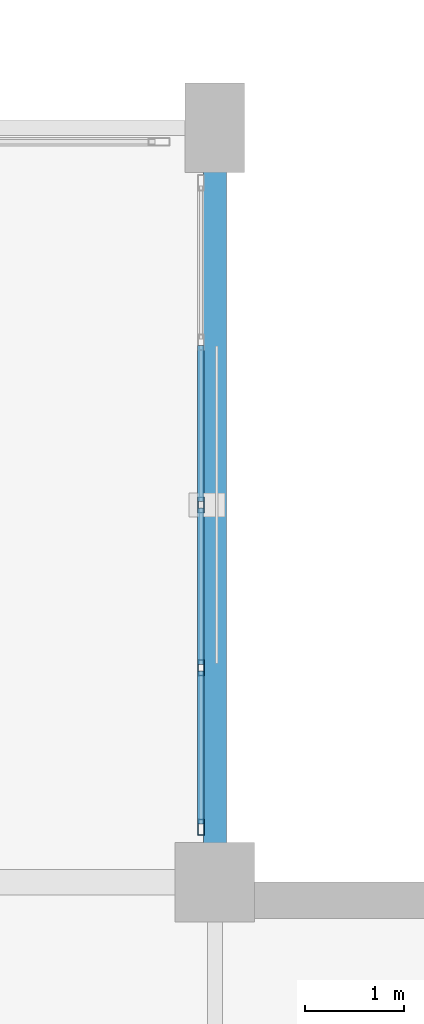
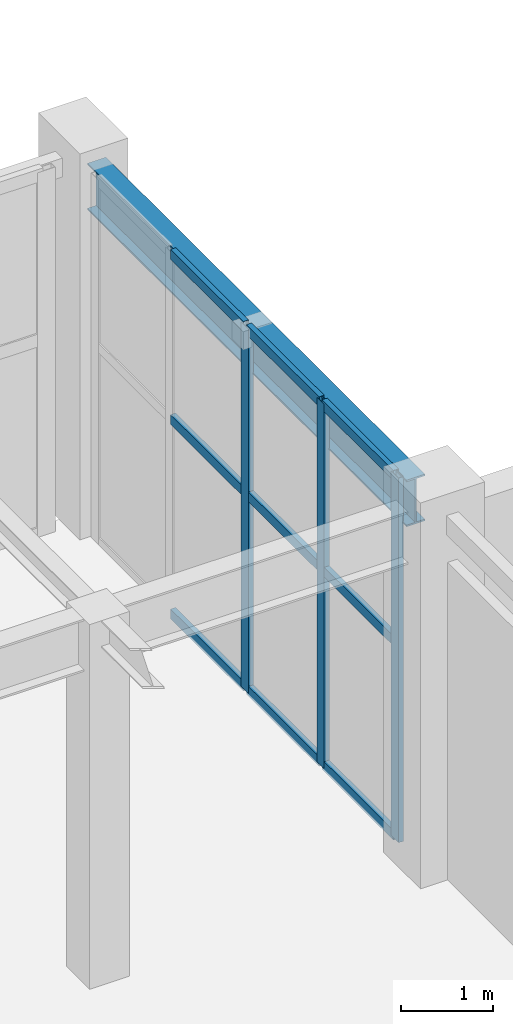
# One storey, part 66 of 128: 12 members, 1 beam, 1 element without a shape of its own.
"""IFC4 building model written with IfcOpenShell, lengths in metres."""

from ifc_helpers import new_model, si_unit, direction, frame, origin, origin_2d, place, context, subcontext, project, spatial, hollow_rectangle, i_section, extrude, material, layer, layer_set, material_profile, profile_set, type_object, element, aggregate, save


model = new_model("IFC4")

# Units and contexts
model_context = context("Model", 3, precision=1e-05, world=origin(), true_north=direction((0.0, 1.0)))
body_context = subcontext(model_context, "Body", "Model", "MODEL_VIEW")
ifc_project = project(units=[si_unit("LENGTHUNIT", "METRE"), si_unit("AREAUNIT", "SQUARE_METRE"), si_unit("VOLUMEUNIT", "CUBIC_METRE"), si_unit("PLANEANGLEUNIT", "RADIAN"), si_unit("MASSUNIT", "GRAM", prefix="KILO")], contexts=[model_context])

# Site, building, storey
site_placement = place(None, origin())
site = spatial("IfcSite", under=ifc_project, at=site_placement, CompositionType="ELEMENT")
building_placement = place(site_placement, origin())
building = spatial("IfcBuilding", under=site, at=building_placement, Name="Xicomal Pleat Aquarium", CompositionType="ELEMENT")
storey_placement = place(building_placement, frame((0.0, 0.0, 5.39990234375)))
storey = spatial("IfcBuildingStorey", under=building, at=storey_placement, Name="L02", CompositionType="ELEMENT", Elevation=5.39990234375)

# Beam
ifc_material_1 = material(Name="Structural steel A992 Gr 50", Category="steel")
ifc_material_profile_1 = material_profile(ifc_material_1, i_section(OverallWidth=0.22998046875, OverallDepth=0.616943359375, WebThickness=0.01318359375, FlangeThickness=0.022216796875, at=origin_2d()), Name="IR 610x140")
ifc_profile_set_1 = profile_set([ifc_material_profile_1], Name="Structural steel A992 Gr 50")
beam_type = type_object("IfcBeamType", Name="BM-STL-IR610", PredefinedType="BEAM", material=ifc_profile_set_1)
beam_placement = place(storey_placement, frame((94.199951171875, 76.39501953125, 4.51171875), z_axis=(0.0, 1.0, 0.0), x_axis=(-1.0, 0.0, 0.0)))
element("IfcBeam", 1, at=beam_placement, inside=storey, type_object=beam_type, Name="L02 framing beam FGY-L02-12-L-M", PredefinedType="BEAM", context=body_context, shape_type="SweptSolid", body=[
    extrude(i_section(OverallWidth=0.22998046875, OverallDepth=0.616943359375, WebThickness=0.01318359375, FlangeThickness=0.022216796875, at=origin_2d()), origin(), (0.0, 0.0, 1.0), 6.909912109375),
])

# Curtain wall, members
ifc_material_2 = material(Name="Bronze anodized aluminium 6063-T6", Category="aluminium")
ifc_layer = layer(ifc_material_2, 0.159912109375)
ifc_layer_set = layer_set([ifc_layer], Name="Bronze anodized aluminium 6063-T6")
curtain_wall_type = type_object("IfcCurtainWallType", Name="CW-SYS-02", PredefinedType="NOTDEFINED", material=ifc_layer_set)
curtain_wall_placement = place(storey_placement, origin())
curtain_wall = element("IfcCurtainWall", 2, at=curtain_wall_placement, inside=storey, type_object=curtain_wall_type, Name="L02 unitised curtain wall CW-L02-108", PredefinedType="NOTDEFINED")
ifc_material_3 = material(Name="Bronze anodized aluminium 6063-T6", Category="aluminium")
ifc_material_profile_2 = material_profile(ifc_material_3, hollow_rectangle(XDim=0.06494140625, YDim=0.159912109375, WallThickness=0.00390625, at=origin_2d()), Name="ALU MULL 65x160")
ifc_profile_set_2 = profile_set([ifc_material_profile_2], Name="Bronze anodized aluminium 6063-T6")
member_type_1 = type_object("IfcMemberType", Name="CWM-65x160", PredefinedType="MULLION", material=ifc_profile_set_2)
member_1_placement = place(storey_placement, frame((94.06005859375, 79.800048828125, 0.0), z_axis=(0.0, 0.0, 1.0), x_axis=(1.0, 0.0, 0.0)))
member_1 = element("IfcMember", 3, at=member_1_placement, type_object=member_type_1, Name="CW-02 mullion 3", PredefinedType="MULLION", context=body_context, shape_type="SweptSolid", body=[
    extrude(hollow_rectangle(XDim=0.06494140625, YDim=0.159912109375, WallThickness=0.00390625, at=origin_2d()), origin(), (0.0, 0.0, 1.0), 4.820068359375),
])
member_2_placement = place(storey_placement, frame((94.06005859375, 78.159912109375, 0.0), z_axis=(0.0, 0.0, 1.0), x_axis=(1.0, 0.0, 0.0)))
member_2 = element("IfcMember", 4, at=member_2_placement, type_object=member_type_1, Name="CW-02 mullion 4", PredefinedType="MULLION", context=body_context, shape_type="SweptSolid", body=[
    extrude(hollow_rectangle(XDim=0.06494140625, YDim=0.159912109375, WallThickness=0.00390625, at=origin_2d()), origin(), (0.0, 0.0, 1.0), 4.820068359375),
])
member_3_placement = place(storey_placement, frame((94.06005859375, 76.552490234375, 0.0), z_axis=(0.0, 0.0, 1.0), x_axis=(1.0, 0.0, 0.0)))
member_3 = element("IfcMember", 5, at=member_3_placement, type_object=member_type_1, Name="CW-02 mullion 5", PredefinedType="MULLION", context=body_context, shape_type="SweptSolid", body=[
    extrude(hollow_rectangle(XDim=0.06494140625, YDim=0.159912109375, WallThickness=0.00390625, at=origin_2d()), origin(), (0.0, 0.0, 1.0), 4.820068359375),
])
ifc_material_4 = material(Name="Bronze anodized aluminium 6063-T6", Category="aluminium")
ifc_material_profile_3 = material_profile(ifc_material_4, hollow_rectangle(XDim=0.06494140625, YDim=0.1298828125, WallThickness=0.00390625, at=origin_2d()), Name="ALU TRAN 65x130")
ifc_profile_set_3 = profile_set([ifc_material_profile_3], Name="Bronze anodized aluminium 6063-T6")
member_type_2 = type_object("IfcMemberType", Name="CWT-65x130", PredefinedType="USERDEFINED", material=ifc_profile_set_3)
member_4_placement = place(storey_placement, frame((94.06005859375, 81.407470703125, 0.03271484375), z_axis=(0.0, -1.0, 0.0), x_axis=(1.0, 0.0, 0.0)))
member_4 = element("IfcMember", 6, at=member_4_placement, type_object=member_type_2, Name="CW-02 transom 2.1", ObjectType="TRANSOM", PredefinedType="USERDEFINED", context=body_context, shape_type="SweptSolid", body=[
    extrude(hollow_rectangle(XDim=0.06494140625, YDim=0.1298828125, WallThickness=0.00390625, at=origin_2d()), origin(), (0.0, 0.0, 1.0), 1.574951171875),
])
member_5_placement = place(storey_placement, frame((94.06005859375, 81.407470703125, 2.60302734375), z_axis=(0.0, -1.0, 0.0), x_axis=(1.0, 0.0, 0.0)))
member_5 = element("IfcMember", 7, at=member_5_placement, type_object=member_type_2, Name="CW-02 transom 2.2", ObjectType="TRANSOM", PredefinedType="USERDEFINED", context=body_context, shape_type="SweptSolid", body=[
    extrude(hollow_rectangle(XDim=0.06494140625, YDim=0.1298828125, WallThickness=0.00390625, at=origin_2d()), origin(), (0.0, 0.0, 1.0), 1.574951171875),
])
member_6_placement = place(storey_placement, frame((94.06005859375, 81.407470703125, 4.78759765625), z_axis=(0.0, -1.0, 0.0), x_axis=(1.0, 0.0, 0.0)))
member_6 = element("IfcMember", 8, at=member_6_placement, type_object=member_type_2, Name="CW-02 transom 2.3", ObjectType="TRANSOM", PredefinedType="USERDEFINED", context=body_context, shape_type="SweptSolid", body=[
    extrude(hollow_rectangle(XDim=0.06494140625, YDim=0.1298828125, WallThickness=0.00390625, at=origin_2d()), origin(), (0.0, 0.0, 1.0), 1.574951171875),
])
member_7_placement = place(storey_placement, frame((94.06005859375, 79.767578125, 0.03271484375), z_axis=(0.0, -1.0, 0.0), x_axis=(1.0, 0.0, 0.0)))
member_7 = element("IfcMember", 9, at=member_7_placement, type_object=member_type_2, Name="CW-02 transom 3.1", ObjectType="TRANSOM", PredefinedType="USERDEFINED", context=body_context, shape_type="SweptSolid", body=[
    extrude(hollow_rectangle(XDim=0.06494140625, YDim=0.1298828125, WallThickness=0.00390625, at=origin_2d()), origin(), (0.0, 0.0, 1.0), 1.5751953125),
])
member_8_placement = place(storey_placement, frame((94.06005859375, 79.767578125, 2.60302734375), z_axis=(0.0, -1.0, 0.0), x_axis=(1.0, 0.0, 0.0)))
member_8 = element("IfcMember", 10, at=member_8_placement, type_object=member_type_2, Name="CW-02 transom 3.2", ObjectType="TRANSOM", PredefinedType="USERDEFINED", context=body_context, shape_type="SweptSolid", body=[
    extrude(hollow_rectangle(XDim=0.06494140625, YDim=0.1298828125, WallThickness=0.00390625, at=origin_2d()), origin(), (0.0, 0.0, 1.0), 1.5751953125),
])
member_9_placement = place(storey_placement, frame((94.06005859375, 79.767578125, 4.78759765625), z_axis=(0.0, -1.0, 0.0), x_axis=(1.0, 0.0, 0.0)))
member_9 = element("IfcMember", 11, at=member_9_placement, type_object=member_type_2, Name="CW-02 transom 3.3", ObjectType="TRANSOM", PredefinedType="USERDEFINED", context=body_context, shape_type="SweptSolid", body=[
    extrude(hollow_rectangle(XDim=0.06494140625, YDim=0.1298828125, WallThickness=0.00390625, at=origin_2d()), origin(), (0.0, 0.0, 1.0), 1.5751953125),
])
member_10_placement = place(storey_placement, frame((94.06005859375, 78.12744140625, 0.03271484375), z_axis=(0.0, -1.0, 0.0), x_axis=(1.0, 0.0, 0.0)))
member_10 = element("IfcMember", 12, at=member_10_placement, type_object=member_type_2, Name="CW-02 transom 4.1", ObjectType="TRANSOM", PredefinedType="USERDEFINED", context=body_context, shape_type="SweptSolid", body=[
    extrude(hollow_rectangle(XDim=0.06494140625, YDim=0.1298828125, WallThickness=0.00390625, at=origin_2d()), origin(), (0.0, 0.0, 1.0), 1.54248046875),
])
member_11_placement = place(storey_placement, frame((94.06005859375, 78.12744140625, 2.60302734375), z_axis=(0.0, -1.0, 0.0), x_axis=(1.0, 0.0, 0.0)))
member_11 = element("IfcMember", 13, at=member_11_placement, type_object=member_type_2, Name="CW-02 transom 4.2", ObjectType="TRANSOM", PredefinedType="USERDEFINED", context=body_context, shape_type="SweptSolid", body=[
    extrude(hollow_rectangle(XDim=0.06494140625, YDim=0.1298828125, WallThickness=0.00390625, at=origin_2d()), origin(), (0.0, 0.0, 1.0), 1.54248046875),
])
member_12_placement = place(storey_placement, frame((94.06005859375, 78.12744140625, 4.78759765625), z_axis=(0.0, -1.0, 0.0), x_axis=(1.0, 0.0, 0.0)))
member_12 = element("IfcMember", 14, at=member_12_placement, type_object=member_type_2, Name="CW-02 transom 4.3", ObjectType="TRANSOM", PredefinedType="USERDEFINED", context=body_context, shape_type="SweptSolid", body=[
    extrude(hollow_rectangle(XDim=0.06494140625, YDim=0.1298828125, WallThickness=0.00390625, at=origin_2d()), origin(), (0.0, 0.0, 1.0), 1.54248046875),
])
aggregate(curtain_wall, [member_1, member_2, member_3, member_4, member_5, member_6, member_7, member_8, member_9, member_10, member_11, member_12])

save(model, "model.ifc")
